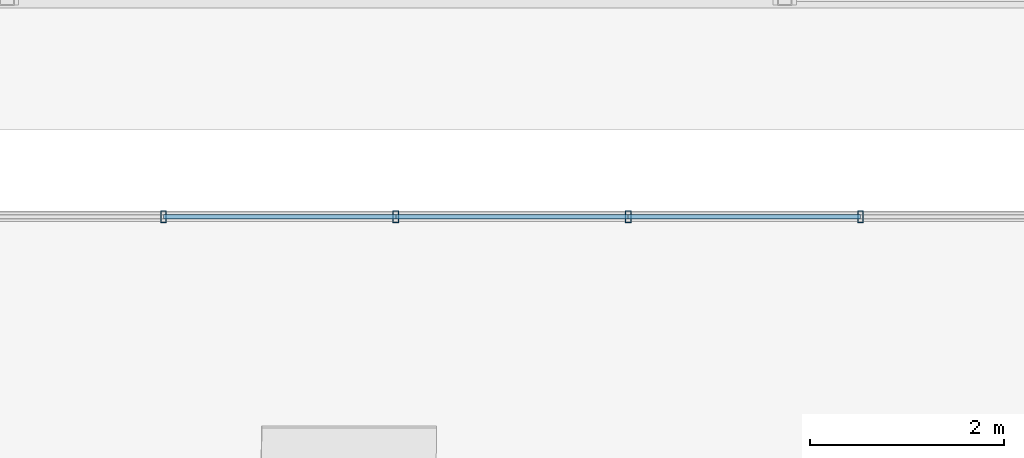
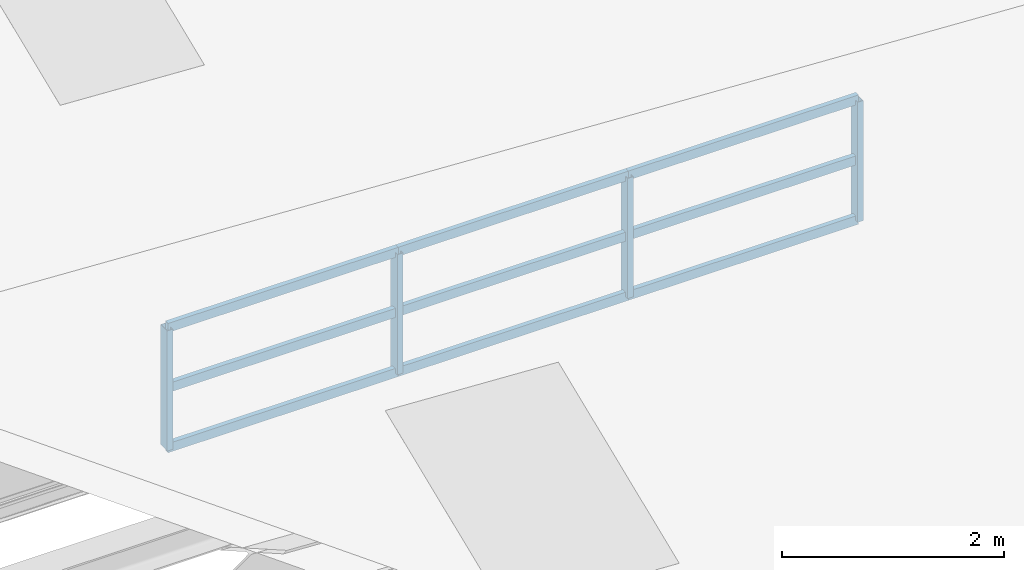
# One storey, part 57 of 141: 13 members, 1 element without a shape of its own.
"""IFC4 building model written with IfcOpenShell, lengths in metres."""

from ifc_helpers import new_model, si_unit, direction, frame, origin, origin_2d, place, context, subcontext, project, spatial, hollow_rectangle, extrude, material, material_profile, profile_set, type_object, element, aggregate, save


model = new_model("IFC4")

# Units and contexts
model_context = context("Model", 3, precision=1e-05, world=origin(), true_north=direction((0.0, 1.0)))
body_context = subcontext(model_context, "Body", "Model", "MODEL_VIEW")
ifc_project = project(units=[si_unit("LENGTHUNIT", "METRE"), si_unit("AREAUNIT", "SQUARE_METRE"), si_unit("VOLUMEUNIT", "CUBIC_METRE"), si_unit("PLANEANGLEUNIT", "RADIAN"), si_unit("MASSUNIT", "GRAM", prefix="KILO")], contexts=[model_context])

# Site, building, storey
site_placement = place(None, origin())
site = spatial("IfcSite", under=ifc_project, at=site_placement, CompositionType="ELEMENT")
building_placement = place(site_placement, origin())
building = spatial("IfcBuilding", under=site, at=building_placement, Name="Sundkrona Museum", CompositionType="ELEMENT")
storey_placement = place(building_placement, frame((0.0, 0.0, 34.0)))
storey = spatial("IfcBuildingStorey", under=building, at=storey_placement, Name="RF", CompositionType="ELEMENT", Elevation=34.0)

# Curtain wall, members
ifc_material_1 = material(Name="Unitised Aluminium-Steel and Ceramic-Clad Curtain Walling", Category="steel")
curtain_wall_type = type_object("IfcCurtainWallType", Name="CW-SW-240x13", PredefinedType="NOTDEFINED", material=ifc_material_1)
curtain_wall_placement = place(storey_placement, origin())
curtain_wall = element("IfcCurtainWall", 1, at=curtain_wall_placement, inside=storey, type_object=curtain_wall_type, Name="Sawtooth Bay 2 East North-Light Clerestory", PredefinedType="NOTDEFINED")
ifc_material_2 = material(Name="Aluminium EN AW-6060 T66", Category="aluminium")
ifc_material_profile_1 = material_profile(ifc_material_2, hollow_rectangle(XDim=0.06005859375, YDim=0.1201171875, WallThickness=0.0048828125, at=origin_2d()), Name="RHS 120x60x5.0")
ifc_profile_set_1 = profile_set([ifc_material_profile_1], Name="Aluminium EN AW-6060 T66")
member_type_1 = type_object("IfcMemberType", Name="ML-120", PredefinedType="MULLION", material=ifc_profile_set_1)
member_1_placement = place(storey_placement, frame((153.610107421875, 10.300048828125, 2.633056640625), z_axis=(0.0, 0.0, 1.0), x_axis=(1.0, 0.0, 0.0)))
member_1 = element("IfcMember", 2, at=member_1_placement, type_object=member_type_1, Name="CW-RF-SAW-02E Mullion 05", PredefinedType="MULLION", context=body_context, shape_type="SweptSolid", body=[
    extrude(hollow_rectangle(XDim=0.06005859375, YDim=0.1201171875, WallThickness=0.0048828125, at=origin_2d()), origin(), (0.0, 0.0, 1.0), 1.31982421875),
])
member_2_placement = place(storey_placement, frame((156.0, 10.300048828125, 2.633056640625), z_axis=(0.0, 0.0, 1.0), x_axis=(1.0, 0.0, 0.0)))
member_2 = element("IfcMember", 3, at=member_2_placement, type_object=member_type_1, Name="CW-RF-SAW-02E Mullion 06", PredefinedType="MULLION", context=body_context, shape_type="SweptSolid", body=[
    extrude(hollow_rectangle(XDim=0.06005859375, YDim=0.1201171875, WallThickness=0.0048828125, at=origin_2d()), origin(), (0.0, 0.0, 1.0), 1.31982421875),
])
member_3_placement = place(storey_placement, frame((158.389892578125, 10.300048828125, 2.633056640625), z_axis=(0.0, 0.0, 1.0), x_axis=(1.0, 0.0, 0.0)))
member_3 = element("IfcMember", 4, at=member_3_placement, type_object=member_type_1, Name="CW-RF-SAW-02E Mullion 07", PredefinedType="MULLION", context=body_context, shape_type="SweptSolid", body=[
    extrude(hollow_rectangle(XDim=0.06005859375, YDim=0.1201171875, WallThickness=0.0048828125, at=origin_2d()), origin(), (0.0, 0.0, 1.0), 1.31982421875),
])
member_4_placement = place(storey_placement, frame((160.780029296875, 10.300048828125, 2.633056640625), z_axis=(0.0, 0.0, 1.0), x_axis=(1.0, 0.0, 0.0)))
member_4 = element("IfcMember", 5, at=member_4_placement, type_object=member_type_1, Name="CW-RF-SAW-02E Mullion 08", PredefinedType="MULLION", context=body_context, shape_type="SweptSolid", body=[
    extrude(hollow_rectangle(XDim=0.06005859375, YDim=0.1201171875, WallThickness=0.0048828125, at=origin_2d()), origin(), (0.0, 0.0, 1.0), 1.31982421875),
])
ifc_material_profile_2 = material_profile(ifc_material_2, hollow_rectangle(XDim=0.050048828125, YDim=0.10009765625, WallThickness=0.0048828125, at=origin_2d()), Name="RHS 100x50x5.0")
ifc_profile_set_2 = profile_set([ifc_material_profile_2], Name="Aluminium EN AW-6060 T66")
member_type_2 = type_object("IfcMemberType", Name="TR-100", PredefinedType="USERDEFINED", material=ifc_profile_set_2)
member_5_placement = place(storey_placement, frame((153.610107421875, 10.300048828125, 2.633056640625), z_axis=(1.0, 0.0, 0.0), x_axis=(0.0, 1.0, 0.0)))
member_5 = element("IfcMember", 6, at=member_5_placement, type_object=member_type_2, Name="CW-RF-SAW-02E Transom 13", ObjectType="TRANSOM", PredefinedType="USERDEFINED", context=body_context, shape_type="SweptSolid", body=[
    extrude(hollow_rectangle(XDim=0.050048828125, YDim=0.10009765625, WallThickness=0.0048828125, at=origin_2d()), origin(), (0.0, 0.0, 1.0), 2.389892578125),
])
member_6_placement = place(storey_placement, frame((153.610107421875, 10.300048828125, 3.29296875), z_axis=(1.0, 0.0, 0.0), x_axis=(0.0, 1.0, 0.0)))
member_6 = element("IfcMember", 7, at=member_6_placement, type_object=member_type_2, Name="CW-RF-SAW-02E Transom 14", ObjectType="TRANSOM", PredefinedType="USERDEFINED", context=body_context, shape_type="SweptSolid", body=[
    extrude(hollow_rectangle(XDim=0.050048828125, YDim=0.10009765625, WallThickness=0.0048828125, at=origin_2d()), origin(), (0.0, 0.0, 1.0), 2.389892578125),
])
member_7_placement = place(storey_placement, frame((153.610107421875, 10.300048828125, 3.952880859375), z_axis=(1.0, 0.0, 0.0), x_axis=(0.0, 1.0, 0.0)))
member_7 = element("IfcMember", 8, at=member_7_placement, type_object=member_type_2, Name="CW-RF-SAW-02E Transom 15", ObjectType="TRANSOM", PredefinedType="USERDEFINED", context=body_context, shape_type="SweptSolid", body=[
    extrude(hollow_rectangle(XDim=0.050048828125, YDim=0.10009765625, WallThickness=0.0048828125, at=origin_2d()), origin(), (0.0, 0.0, 1.0), 2.389892578125),
])
member_8_placement = place(storey_placement, frame((156.0, 10.300048828125, 2.633056640625), z_axis=(1.0, 0.0, 0.0), x_axis=(0.0, 1.0, 0.0)))
member_8 = element("IfcMember", 9, at=member_8_placement, type_object=member_type_2, Name="CW-RF-SAW-02E Transom 16", ObjectType="TRANSOM", PredefinedType="USERDEFINED", context=body_context, shape_type="SweptSolid", body=[
    extrude(hollow_rectangle(XDim=0.050048828125, YDim=0.10009765625, WallThickness=0.0048828125, at=origin_2d()), origin(), (0.0, 0.0, 1.0), 2.389892578125),
])
member_9_placement = place(storey_placement, frame((156.0, 10.300048828125, 3.29296875), z_axis=(1.0, 0.0, 0.0), x_axis=(0.0, 1.0, 0.0)))
member_9 = element("IfcMember", 10, at=member_9_placement, type_object=member_type_2, Name="CW-RF-SAW-02E Transom 17", ObjectType="TRANSOM", PredefinedType="USERDEFINED", context=body_context, shape_type="SweptSolid", body=[
    extrude(hollow_rectangle(XDim=0.050048828125, YDim=0.10009765625, WallThickness=0.0048828125, at=origin_2d()), origin(), (0.0, 0.0, 1.0), 2.389892578125),
])
member_10_placement = place(storey_placement, frame((156.0, 10.300048828125, 3.952880859375), z_axis=(1.0, 0.0, 0.0), x_axis=(0.0, 1.0, 0.0)))
member_10 = element("IfcMember", 11, at=member_10_placement, type_object=member_type_2, Name="CW-RF-SAW-02E Transom 18", ObjectType="TRANSOM", PredefinedType="USERDEFINED", context=body_context, shape_type="SweptSolid", body=[
    extrude(hollow_rectangle(XDim=0.050048828125, YDim=0.10009765625, WallThickness=0.0048828125, at=origin_2d()), origin(), (0.0, 0.0, 1.0), 2.389892578125),
])
member_11_placement = place(storey_placement, frame((158.389892578125, 10.300048828125, 2.633056640625), z_axis=(1.0, 0.0, 0.0), x_axis=(0.0, 1.0, 0.0)))
member_11 = element("IfcMember", 12, at=member_11_placement, type_object=member_type_2, Name="CW-RF-SAW-02E Transom 19", ObjectType="TRANSOM", PredefinedType="USERDEFINED", context=body_context, shape_type="SweptSolid", body=[
    extrude(hollow_rectangle(XDim=0.050048828125, YDim=0.10009765625, WallThickness=0.0048828125, at=origin_2d()), origin(), (0.0, 0.0, 1.0), 2.39013671875),
])
member_12_placement = place(storey_placement, frame((158.389892578125, 10.300048828125, 3.29296875), z_axis=(1.0, 0.0, 0.0), x_axis=(0.0, 1.0, 0.0)))
member_12 = element("IfcMember", 13, at=member_12_placement, type_object=member_type_2, Name="CW-RF-SAW-02E Transom 20", ObjectType="TRANSOM", PredefinedType="USERDEFINED", context=body_context, shape_type="SweptSolid", body=[
    extrude(hollow_rectangle(XDim=0.050048828125, YDim=0.10009765625, WallThickness=0.0048828125, at=origin_2d()), origin(), (0.0, 0.0, 1.0), 2.39013671875),
])
member_13_placement = place(storey_placement, frame((158.389892578125, 10.300048828125, 3.952880859375), z_axis=(1.0, 0.0, 0.0), x_axis=(0.0, 1.0, 0.0)))
member_13 = element("IfcMember", 14, at=member_13_placement, type_object=member_type_2, Name="CW-RF-SAW-02E Transom 21", ObjectType="TRANSOM", PredefinedType="USERDEFINED", context=body_context, shape_type="SweptSolid", body=[
    extrude(hollow_rectangle(XDim=0.050048828125, YDim=0.10009765625, WallThickness=0.0048828125, at=origin_2d()), origin(), (0.0, 0.0, 1.0), 2.39013671875),
])
aggregate(curtain_wall, [member_1, member_2, member_3, member_4, member_5, member_6, member_7, member_8, member_9, member_10, member_11, member_12, member_13])

save(model, "model.ifc")
